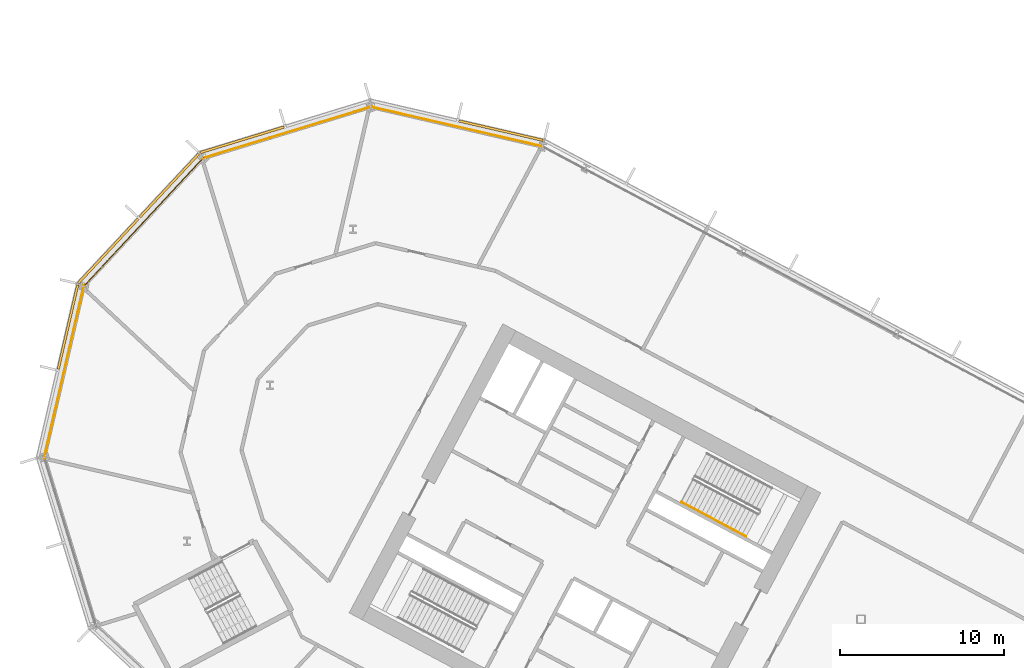
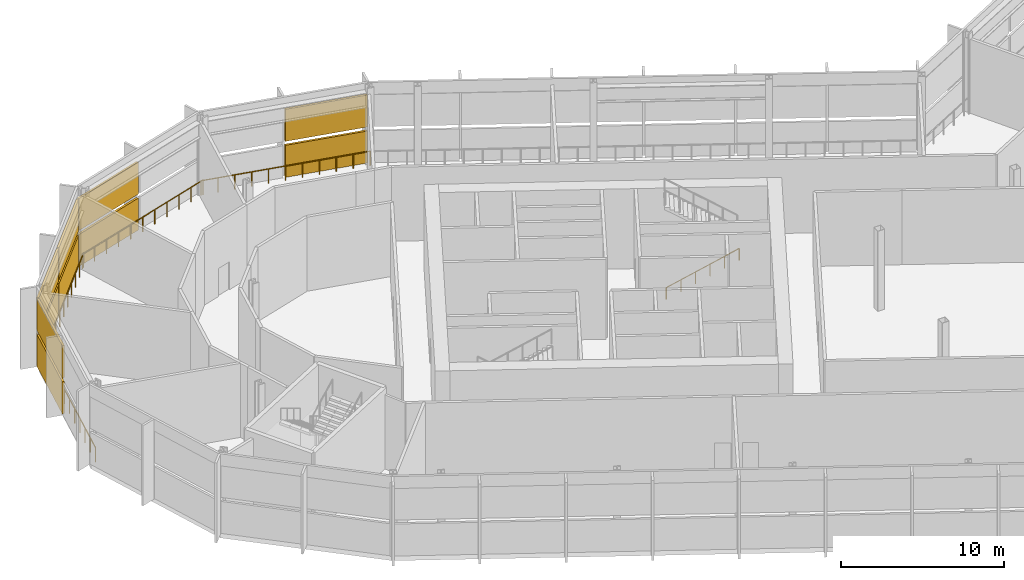
# One storey, part 24 of 33: 10 shading devices, 5 railings, 4 elements without a shape of their own.
"""IFC4 building model written with IfcOpenShell, lengths in metres."""

from ifc_helpers import new_model, si_unit, direction, frame, origin, origin_2d, place, context, subcontext, project, spatial, polyline, rectangle, outline, extrude, material, layer, layer_set, type_object, element, aggregate, save


model = new_model("IFC4")

# Units and contexts
model_context = context("Model", 3, precision=1e-05, world=origin(), true_north=direction((0.0, 1.0)))
body_context = subcontext(model_context, "Body", "Model", "MODEL_VIEW")
ifc_project = project(units=[si_unit("LENGTHUNIT", "METRE"), si_unit("AREAUNIT", "SQUARE_METRE"), si_unit("VOLUMEUNIT", "CUBIC_METRE"), si_unit("PLANEANGLEUNIT", "RADIAN"), si_unit("MASSUNIT", "GRAM", prefix="KILO")], contexts=[model_context])

# Site, building, storey
site_placement = place(None, origin())
site = spatial("IfcSite", under=ifc_project, at=site_placement, CompositionType="ELEMENT")
building_placement = place(site_placement, origin())
building = spatial("IfcBuilding", under=site, at=building_placement, Name="Cormorant Relay Tower", CompositionType="ELEMENT")
storey_placement = place(building_placement, frame((0.0, 0.0, 112.199951171875)))
storey = spatial("IfcBuildingStorey", under=building, at=storey_placement, Name="L22", CompositionType="ELEMENT", Elevation=112.199951171875)

# Railings
ifc_material_1 = material(Name="Stainless steel 316 guard", Category="steel")
railing_type_1 = type_object("IfcRailingType", Name="Band louvre guard 1100", PredefinedType="GUARDRAIL", material=ifc_material_1)
railing_1_placement = place(storey_placement, frame((-29.941162109375, 39.375732421875, 0.0)))
element("IfcRailing", 1, at=railing_1_placement, inside=storey, type_object=railing_type_1, Name="CW4 guard 8", PredefinedType="GUARDRAIL", context=body_context, shape_type="SweptSolid", body=[
    extrude(outline(polyline([(0.022216796875, 0.00927734375), (0.00927734375, 0.022216796875), (-0.00927734375, 0.022216796875), (-0.022216796875, 0.00927734375), (-0.022216796875, -0.00927734375), (-0.00927734375, -0.022216796875), (0.00927734375, -0.022216796875), (0.022216796875, -0.00927734375), (0.022216796875, 0.00927734375)])), frame((0.0, 0.0, 1.076171875), z_axis=(-0.974369993916, 0.22495136131, 0.0), x_axis=(-0.22495136131, -0.974369993916, 0.0)), (0.0, 0.0, 1.0), 10.870361328125),
    extrude(outline(polyline([(0.019287109375, 0.008056640625), (0.008056640625, 0.019287109375), (-0.008056640625, 0.019287109375), (-0.019287109375, 0.008056640625), (-0.019287109375, -0.008056640625), (-0.008056640625, -0.019287109375), (0.008056640625, -0.019287109375), (0.019287109375, -0.008056640625), (0.019287109375, 0.008056640625)])), origin(), (0.0, 0.0, 1.0), 1.052001953125),
    extrude(outline(polyline([(0.019287109375, 0.008056640625), (0.008056640625, 0.019287109375), (-0.008056640625, 0.019287109375), (-0.019287109375, 0.008056640625), (-0.019287109375, -0.008056640625), (-0.008056640625, -0.019287109375), (0.008056640625, -0.019287109375), (0.019287109375, -0.008056640625), (0.019287109375, 0.008056640625)])), frame((-1.05908203125, 0.24462890625, 0.0)), (0.0, 0.0, 1.0), 1.052001953125),
    extrude(outline(polyline([(0.019287109375, 0.008056640625), (0.008056640625, 0.019287109375), (-0.008056640625, 0.019287109375), (-0.019287109375, 0.008056640625), (-0.019287109375, -0.008056640625), (-0.008056640625, -0.019287109375), (0.008056640625, -0.019287109375), (0.019287109375, -0.008056640625), (0.019287109375, 0.008056640625)])), frame((-2.118408203125, 0.489013671875, 0.0)), (0.0, 0.0, 1.0), 1.052001953125),
    extrude(outline(polyline([(0.019287109375, 0.008056640625), (0.008056640625, 0.019287109375), (-0.008056640625, 0.019287109375), (-0.019287109375, 0.008056640625), (-0.019287109375, -0.008056640625), (-0.008056640625, -0.019287109375), (0.008056640625, -0.019287109375), (0.019287109375, -0.008056640625), (0.019287109375, 0.008056640625)])), frame((-3.177490234375, 0.733642578125, 0.0)), (0.0, 0.0, 1.0), 1.052001953125),
    extrude(outline(polyline([(0.019287109375, 0.008056640625), (0.008056640625, 0.019287109375), (-0.008056640625, 0.019287109375), (-0.019287109375, 0.008056640625), (-0.019287109375, -0.008056640625), (-0.008056640625, -0.019287109375), (0.008056640625, -0.019287109375), (0.019287109375, -0.008056640625), (0.019287109375, 0.008056640625)])), frame((-4.23681640625, 0.97802734375, 0.0)), (0.0, 0.0, 1.0), 1.052001953125),
    extrude(outline(polyline([(0.019287109375, 0.008056640625), (0.008056640625, 0.019287109375), (-0.008056640625, 0.019287109375), (-0.019287109375, 0.008056640625), (-0.019287109375, -0.008056640625), (-0.008056640625, -0.019287109375), (0.008056640625, -0.019287109375), (0.019287109375, -0.008056640625), (0.019287109375, 0.008056640625)])), frame((-5.2958984375, 1.22265625, 0.0)), (0.0, 0.0, 1.0), 1.052001953125),
    extrude(outline(polyline([(0.019287109375, 0.008056640625), (0.008056640625, 0.019287109375), (-0.008056640625, 0.019287109375), (-0.019287109375, 0.008056640625), (-0.019287109375, -0.008056640625), (-0.008056640625, -0.019287109375), (0.008056640625, -0.019287109375), (0.019287109375, -0.008056640625), (0.019287109375, 0.008056640625)])), frame((-6.35498046875, 1.46728515625, 0.0)), (0.0, 0.0, 1.0), 1.052001953125),
    extrude(outline(polyline([(0.019287109375, 0.008056640625), (0.008056640625, 0.019287109375), (-0.008056640625, 0.019287109375), (-0.019287109375, 0.008056640625), (-0.019287109375, -0.008056640625), (-0.008056640625, -0.019287109375), (0.008056640625, -0.019287109375), (0.019287109375, -0.008056640625), (0.019287109375, 0.008056640625)])), frame((-7.414306640625, 1.711669921875, 0.0)), (0.0, 0.0, 1.0), 1.052001953125),
    extrude(outline(polyline([(0.019287109375, 0.008056640625), (0.008056640625, 0.019287109375), (-0.008056640625, 0.019287109375), (-0.019287109375, 0.008056640625), (-0.019287109375, -0.008056640625), (-0.008056640625, -0.019287109375), (0.008056640625, -0.019287109375), (0.019287109375, -0.008056640625), (0.019287109375, 0.008056640625)])), frame((-8.473388671875, 1.956298828125, 0.0)), (0.0, 0.0, 1.0), 1.052001953125),
    extrude(outline(polyline([(0.019287109375, 0.008056640625), (0.008056640625, 0.019287109375), (-0.008056640625, 0.019287109375), (-0.019287109375, 0.008056640625), (-0.019287109375, -0.008056640625), (-0.008056640625, -0.019287109375), (0.008056640625, -0.019287109375), (0.019287109375, -0.008056640625), (0.019287109375, 0.008056640625)])), frame((-9.53271484375, 2.20068359375, 0.0)), (0.0, 0.0, 1.0), 1.052001953125),
    extrude(outline(polyline([(0.019287109375, 0.008056640625), (0.008056640625, 0.019287109375), (-0.008056640625, 0.019287109375), (-0.019287109375, 0.008056640625), (-0.019287109375, -0.008056640625), (-0.008056640625, -0.019287109375), (0.008056640625, -0.019287109375), (0.019287109375, -0.008056640625), (0.019287109375, 0.008056640625)])), frame((-10.591796875, 2.4453125, 0.0)), (0.0, 0.0, 1.0), 1.052001953125),
])
railing_2_placement = place(storey_placement, frame((-40.377685546875, 41.826416015625, 0.0)))
element("IfcRailing", 2, at=railing_2_placement, inside=storey, type_object=railing_type_1, Name="CW4 guard 9", PredefinedType="GUARDRAIL", context=body_context, shape_type="SweptSolid", body=[
    extrude(outline(polyline([(0.022216796875, 0.00927734375), (0.00927734375, 0.022216796875), (-0.00927734375, 0.022216796875), (-0.022216796875, 0.00927734375), (-0.022216796875, -0.00927734375), (-0.00927734375, -0.022216796875), (0.00927734375, -0.022216796875), (0.022216796875, -0.00927734375), (0.022216796875, 0.00927734375)])), frame((0.0, 0.0, 1.076171875), z_axis=(-0.956304833932, -0.292371449698, 0.0), x_axis=(0.292371449698, -0.956304833932, 0.0)), (0.0, 0.0, 1.0), 10.87060546875),
    extrude(outline(polyline([(0.019287109375, 0.008056640625), (0.008056640625, 0.019287109375), (-0.008056640625, 0.019287109375), (-0.019287109375, 0.008056640625), (-0.019287109375, -0.008056640625), (-0.008056640625, -0.019287109375), (0.008056640625, -0.019287109375), (0.019287109375, -0.008056640625), (0.019287109375, 0.008056640625)])), origin(), (0.0, 0.0, 1.0), 1.052001953125),
    extrude(outline(polyline([(0.019287109375, 0.008056640625), (0.008056640625, 0.019287109375), (-0.008056640625, 0.019287109375), (-0.019287109375, 0.008056640625), (-0.019287109375, -0.008056640625), (-0.008056640625, -0.019287109375), (0.008056640625, -0.019287109375), (0.019287109375, -0.008056640625), (0.019287109375, 0.008056640625)])), frame((-1.03955078125, -0.31787109375, 0.0)), (0.0, 0.0, 1.0), 1.052001953125),
    extrude(outline(polyline([(0.019287109375, 0.008056640625), (0.008056640625, 0.019287109375), (-0.008056640625, 0.019287109375), (-0.019287109375, 0.008056640625), (-0.019287109375, -0.008056640625), (-0.008056640625, -0.019287109375), (0.008056640625, -0.019287109375), (0.019287109375, -0.008056640625), (0.019287109375, 0.008056640625)])), frame((-2.0791015625, -0.6357421875, 0.0)), (0.0, 0.0, 1.0), 1.052001953125),
    extrude(outline(polyline([(0.019287109375, 0.008056640625), (0.008056640625, 0.019287109375), (-0.008056640625, 0.019287109375), (-0.019287109375, 0.008056640625), (-0.019287109375, -0.008056640625), (-0.008056640625, -0.019287109375), (0.008056640625, -0.019287109375), (0.019287109375, -0.008056640625), (0.019287109375, 0.008056640625)])), frame((-3.11865234375, -0.953369140625, 0.0)), (0.0, 0.0, 1.0), 1.052001953125),
    extrude(outline(polyline([(0.019287109375, 0.008056640625), (0.008056640625, 0.019287109375), (-0.008056640625, 0.019287109375), (-0.019287109375, 0.008056640625), (-0.019287109375, -0.008056640625), (-0.008056640625, -0.019287109375), (0.008056640625, -0.019287109375), (0.019287109375, -0.008056640625), (0.019287109375, 0.008056640625)])), frame((-4.158203125, -1.271240234375, 0.0)), (0.0, 0.0, 1.0), 1.052001953125),
    extrude(outline(polyline([(0.019287109375, 0.008056640625), (0.008056640625, 0.019287109375), (-0.008056640625, 0.019287109375), (-0.019287109375, 0.008056640625), (-0.019287109375, -0.008056640625), (-0.008056640625, -0.019287109375), (0.008056640625, -0.019287109375), (0.019287109375, -0.008056640625), (0.019287109375, 0.008056640625)])), frame((-5.19775390625, -1.589111328125, 0.0)), (0.0, 0.0, 1.0), 1.052001953125),
    extrude(outline(polyline([(0.019287109375, 0.008056640625), (0.008056640625, 0.019287109375), (-0.008056640625, 0.019287109375), (-0.019287109375, 0.008056640625), (-0.019287109375, -0.008056640625), (-0.008056640625, -0.019287109375), (0.008056640625, -0.019287109375), (0.019287109375, -0.008056640625), (0.019287109375, 0.008056640625)])), frame((-6.2373046875, -1.906982421875, 0.0)), (0.0, 0.0, 1.0), 1.052001953125),
    extrude(outline(polyline([(0.019287109375, 0.008056640625), (0.008056640625, 0.019287109375), (-0.008056640625, 0.019287109375), (-0.019287109375, 0.008056640625), (-0.019287109375, -0.008056640625), (-0.008056640625, -0.019287109375), (0.008056640625, -0.019287109375), (0.019287109375, -0.008056640625), (0.019287109375, 0.008056640625)])), frame((-7.27685546875, -2.224853515625, 0.0)), (0.0, 0.0, 1.0), 1.052001953125),
    extrude(outline(polyline([(0.019287109375, 0.008056640625), (0.008056640625, 0.019287109375), (-0.008056640625, 0.019287109375), (-0.019287109375, 0.008056640625), (-0.019287109375, -0.008056640625), (-0.008056640625, -0.019287109375), (0.008056640625, -0.019287109375), (0.019287109375, -0.008056640625), (0.019287109375, 0.008056640625)])), frame((-8.31640625, -2.54248046875, 0.0)), (0.0, 0.0, 1.0), 1.052001953125),
    extrude(outline(polyline([(0.019287109375, 0.008056640625), (0.008056640625, 0.019287109375), (-0.008056640625, 0.019287109375), (-0.019287109375, 0.008056640625), (-0.019287109375, -0.008056640625), (-0.008056640625, -0.019287109375), (0.008056640625, -0.019287109375), (0.019287109375, -0.008056640625), (0.019287109375, 0.008056640625)])), frame((-9.35595703125, -2.8603515625, 0.0)), (0.0, 0.0, 1.0), 1.052001953125),
    extrude(outline(polyline([(0.019287109375, 0.008056640625), (0.008056640625, 0.019287109375), (-0.008056640625, 0.019287109375), (-0.019287109375, 0.008056640625), (-0.019287109375, -0.008056640625), (-0.008056640625, -0.019287109375), (0.008056640625, -0.019287109375), (0.019287109375, -0.008056640625), (0.019287109375, 0.008056640625)])), frame((-10.3955078125, -3.17822265625, 0.0)), (0.0, 0.0, 1.0), 1.052001953125),
])
railing_3_placement = place(storey_placement, frame((-50.6416015625, 38.730712890625, 0.0)))
element("IfcRailing", 3, at=railing_3_placement, inside=storey, type_object=railing_type_1, Name="CW4 guard 10", PredefinedType="GUARDRAIL", context=body_context, shape_type="SweptSolid", body=[
    extrude(outline(polyline([(0.022216796875, 0.00927734375), (0.00927734375, 0.022216796875), (-0.00927734375, 0.022216796875), (-0.022216796875, 0.00927734375), (-0.022216796875, -0.00927734375), (-0.00927734375, -0.022216796875), (0.00927734375, -0.022216796875), (0.022216796875, -0.00927734375), (0.022216796875, 0.00927734375)])), frame((0.0, 0.0, 1.076171875), z_axis=(-0.681993299437, -0.731358420696, 0.0), x_axis=(0.731358420696, -0.681993299437, 0.0)), (0.0, 0.0, 1.0), 10.870361328125),
    extrude(outline(polyline([(0.019287109375, 0.008056640625), (0.008056640625, 0.019287109375), (-0.008056640625, 0.019287109375), (-0.019287109375, 0.008056640625), (-0.019287109375, -0.008056640625), (-0.008056640625, -0.019287109375), (0.008056640625, -0.019287109375), (0.019287109375, -0.008056640625), (0.019287109375, 0.008056640625)])), origin(), (0.0, 0.0, 1.0), 1.052001953125),
    extrude(outline(polyline([(0.019287109375, 0.008056640625), (0.008056640625, 0.019287109375), (-0.008056640625, 0.019287109375), (-0.019287109375, 0.008056640625), (-0.019287109375, -0.008056640625), (-0.008056640625, -0.019287109375), (0.008056640625, -0.019287109375), (0.019287109375, -0.008056640625), (0.019287109375, 0.008056640625)])), frame((-0.741455078125, -0.794921875, 0.0)), (0.0, 0.0, 1.0), 1.052001953125),
    extrude(outline(polyline([(0.019287109375, 0.008056640625), (0.008056640625, 0.019287109375), (-0.008056640625, 0.019287109375), (-0.019287109375, 0.008056640625), (-0.019287109375, -0.008056640625), (-0.008056640625, -0.019287109375), (0.008056640625, -0.019287109375), (0.019287109375, -0.008056640625), (0.019287109375, 0.008056640625)])), frame((-1.482666015625, -1.590087890625, 0.0)), (0.0, 0.0, 1.0), 1.052001953125),
    extrude(outline(polyline([(0.019287109375, 0.008056640625), (0.008056640625, 0.019287109375), (-0.008056640625, 0.019287109375), (-0.019287109375, 0.008056640625), (-0.019287109375, -0.008056640625), (-0.008056640625, -0.019287109375), (0.008056640625, -0.019287109375), (0.019287109375, -0.008056640625), (0.019287109375, 0.008056640625)])), frame((-2.22412109375, -2.385009765625, 0.0)), (0.0, 0.0, 1.0), 1.052001953125),
    extrude(outline(polyline([(0.019287109375, 0.008056640625), (0.008056640625, 0.019287109375), (-0.008056640625, 0.019287109375), (-0.019287109375, 0.008056640625), (-0.019287109375, -0.008056640625), (-0.008056640625, -0.019287109375), (0.008056640625, -0.019287109375), (0.019287109375, -0.008056640625), (0.019287109375, 0.008056640625)])), frame((-2.96533203125, -3.18017578125, 0.0)), (0.0, 0.0, 1.0), 1.052001953125),
    extrude(outline(polyline([(0.019287109375, 0.008056640625), (0.008056640625, 0.019287109375), (-0.008056640625, 0.019287109375), (-0.019287109375, 0.008056640625), (-0.019287109375, -0.008056640625), (-0.008056640625, -0.019287109375), (0.008056640625, -0.019287109375), (0.019287109375, -0.008056640625), (0.019287109375, 0.008056640625)])), frame((-3.706787109375, -3.97509765625, 0.0)), (0.0, 0.0, 1.0), 1.052001953125),
    extrude(outline(polyline([(0.019287109375, 0.008056640625), (0.008056640625, 0.019287109375), (-0.008056640625, 0.019287109375), (-0.019287109375, 0.008056640625), (-0.019287109375, -0.008056640625), (-0.008056640625, -0.019287109375), (0.008056640625, -0.019287109375), (0.019287109375, -0.008056640625), (0.019287109375, 0.008056640625)])), frame((-4.4482421875, -4.77001953125, 0.0)), (0.0, 0.0, 1.0), 1.052001953125),
    extrude(outline(polyline([(0.019287109375, 0.008056640625), (0.008056640625, 0.019287109375), (-0.008056640625, 0.019287109375), (-0.019287109375, 0.008056640625), (-0.019287109375, -0.008056640625), (-0.008056640625, -0.019287109375), (0.008056640625, -0.019287109375), (0.019287109375, -0.008056640625), (0.019287109375, 0.008056640625)])), frame((-5.189453125, -5.565185546875, 0.0)), (0.0, 0.0, 1.0), 1.052001953125),
    extrude(outline(polyline([(0.019287109375, 0.008056640625), (0.008056640625, 0.019287109375), (-0.008056640625, 0.019287109375), (-0.019287109375, 0.008056640625), (-0.019287109375, -0.008056640625), (-0.008056640625, -0.019287109375), (0.008056640625, -0.019287109375), (0.019287109375, -0.008056640625), (0.019287109375, 0.008056640625)])), frame((-5.930908203125, -6.360107421875, 0.0)), (0.0, 0.0, 1.0), 1.052001953125),
    extrude(outline(polyline([(0.019287109375, 0.008056640625), (0.008056640625, 0.019287109375), (-0.008056640625, 0.019287109375), (-0.019287109375, 0.008056640625), (-0.019287109375, -0.008056640625), (-0.008056640625, -0.019287109375), (0.008056640625, -0.019287109375), (0.019287109375, -0.008056640625), (0.019287109375, 0.008056640625)])), frame((-6.672119140625, -7.1552734375, 0.0)), (0.0, 0.0, 1.0), 1.052001953125),
    extrude(outline(polyline([(0.019287109375, 0.008056640625), (0.008056640625, 0.019287109375), (-0.008056640625, 0.019287109375), (-0.019287109375, 0.008056640625), (-0.019287109375, -0.008056640625), (-0.008056640625, -0.019287109375), (0.008056640625, -0.019287109375), (0.019287109375, -0.008056640625), (0.019287109375, 0.008056640625)])), frame((-7.41357421875, -7.9501953125, 0.0)), (0.0, 0.0, 1.0), 1.052001953125),
])
railing_4_placement = place(storey_placement, frame((-57.982177734375, 30.91748046875, 0.0)))
element("IfcRailing", 4, at=railing_4_placement, inside=storey, type_object=railing_type_1, Name="CW4 guard 11", PredefinedType="GUARDRAIL", context=body_context, shape_type="SweptSolid", body=[
    extrude(outline(polyline([(0.022216796875, 0.00927734375), (0.00927734375, 0.022216796875), (-0.00927734375, 0.022216796875), (-0.022216796875, 0.00927734375), (-0.022216796875, -0.00927734375), (-0.00927734375, -0.022216796875), (0.00927734375, -0.022216796875), (0.022216796875, -0.00927734375), (0.022216796875, 0.00927734375)])), frame((0.0, 0.0, 1.076171875), z_axis=(-0.22495136131, -0.974369993916, 0.0), x_axis=(0.974369993916, -0.22495136131, 0.0)), (0.0, 0.0, 1.0), 10.870361328125),
    extrude(outline(polyline([(0.019287109375, 0.008056640625), (0.008056640625, 0.019287109375), (-0.008056640625, 0.019287109375), (-0.019287109375, 0.008056640625), (-0.019287109375, -0.008056640625), (-0.008056640625, -0.019287109375), (0.008056640625, -0.019287109375), (0.019287109375, -0.008056640625), (0.019287109375, 0.008056640625)])), origin(), (0.0, 0.0, 1.0), 1.052001953125),
    extrude(outline(polyline([(0.019287109375, 0.008056640625), (0.008056640625, 0.019287109375), (-0.008056640625, 0.019287109375), (-0.019287109375, 0.008056640625), (-0.019287109375, -0.008056640625), (-0.008056640625, -0.019287109375), (0.008056640625, -0.019287109375), (0.019287109375, -0.008056640625), (0.019287109375, 0.008056640625)])), frame((-0.24462890625, -1.05908203125, 0.0)), (0.0, 0.0, 1.0), 1.052001953125),
    extrude(outline(polyline([(0.019287109375, 0.008056640625), (0.008056640625, 0.019287109375), (-0.008056640625, 0.019287109375), (-0.019287109375, 0.008056640625), (-0.019287109375, -0.008056640625), (-0.008056640625, -0.019287109375), (0.008056640625, -0.019287109375), (0.019287109375, -0.008056640625), (0.019287109375, 0.008056640625)])), frame((-0.489013671875, -2.118408203125, 0.0)), (0.0, 0.0, 1.0), 1.052001953125),
    extrude(outline(polyline([(0.019287109375, 0.008056640625), (0.008056640625, 0.019287109375), (-0.008056640625, 0.019287109375), (-0.019287109375, 0.008056640625), (-0.019287109375, -0.008056640625), (-0.008056640625, -0.019287109375), (0.008056640625, -0.019287109375), (0.019287109375, -0.008056640625), (0.019287109375, 0.008056640625)])), frame((-0.733642578125, -3.177490234375, 0.0)), (0.0, 0.0, 1.0), 1.052001953125),
    extrude(outline(polyline([(0.019287109375, 0.008056640625), (0.008056640625, 0.019287109375), (-0.008056640625, 0.019287109375), (-0.019287109375, 0.008056640625), (-0.019287109375, -0.008056640625), (-0.008056640625, -0.019287109375), (0.008056640625, -0.019287109375), (0.019287109375, -0.008056640625), (0.019287109375, 0.008056640625)])), frame((-0.97802734375, -4.23681640625, 0.0)), (0.0, 0.0, 1.0), 1.052001953125),
    extrude(outline(polyline([(0.019287109375, 0.008056640625), (0.008056640625, 0.019287109375), (-0.008056640625, 0.019287109375), (-0.019287109375, 0.008056640625), (-0.019287109375, -0.008056640625), (-0.008056640625, -0.019287109375), (0.008056640625, -0.019287109375), (0.019287109375, -0.008056640625), (0.019287109375, 0.008056640625)])), frame((-1.22265625, -5.2958984375, 0.0)), (0.0, 0.0, 1.0), 1.052001953125),
    extrude(outline(polyline([(0.019287109375, 0.008056640625), (0.008056640625, 0.019287109375), (-0.008056640625, 0.019287109375), (-0.019287109375, 0.008056640625), (-0.019287109375, -0.008056640625), (-0.008056640625, -0.019287109375), (0.008056640625, -0.019287109375), (0.019287109375, -0.008056640625), (0.019287109375, 0.008056640625)])), frame((-1.46728515625, -6.35498046875, 0.0)), (0.0, 0.0, 1.0), 1.052001953125),
    extrude(outline(polyline([(0.019287109375, 0.008056640625), (0.008056640625, 0.019287109375), (-0.008056640625, 0.019287109375), (-0.019287109375, 0.008056640625), (-0.019287109375, -0.008056640625), (-0.008056640625, -0.019287109375), (0.008056640625, -0.019287109375), (0.019287109375, -0.008056640625), (0.019287109375, 0.008056640625)])), frame((-1.711669921875, -7.414306640625, 0.0)), (0.0, 0.0, 1.0), 1.052001953125),
    extrude(outline(polyline([(0.019287109375, 0.008056640625), (0.008056640625, 0.019287109375), (-0.008056640625, 0.019287109375), (-0.019287109375, 0.008056640625), (-0.019287109375, -0.008056640625), (-0.008056640625, -0.019287109375), (0.008056640625, -0.019287109375), (0.019287109375, -0.008056640625), (0.019287109375, 0.008056640625)])), frame((-1.956298828125, -8.473388671875, 0.0)), (0.0, 0.0, 1.0), 1.052001953125),
    extrude(outline(polyline([(0.019287109375, 0.008056640625), (0.008056640625, 0.019287109375), (-0.008056640625, 0.019287109375), (-0.019287109375, 0.008056640625), (-0.019287109375, -0.008056640625), (-0.008056640625, -0.019287109375), (0.008056640625, -0.019287109375), (0.019287109375, -0.008056640625), (0.019287109375, 0.008056640625)])), frame((-2.20068359375, -9.53271484375, 0.0)), (0.0, 0.0, 1.0), 1.052001953125),
    extrude(outline(polyline([(0.019287109375, 0.008056640625), (0.008056640625, 0.019287109375), (-0.008056640625, 0.019287109375), (-0.019287109375, 0.008056640625), (-0.019287109375, -0.008056640625), (-0.008056640625, -0.019287109375), (0.008056640625, -0.019287109375), (0.019287109375, -0.008056640625), (0.019287109375, 0.008056640625)])), frame((-2.4453125, -10.591796875, 0.0)), (0.0, 0.0, 1.0), 1.052001953125),
])

# Curtain wall, shading devices
ifc_material_2 = material(Name="Aluminium 6063-T6 anodised bronze", Category="aluminium")
ifc_layer = layer(ifc_material_2, 0.199951171875)
ifc_layer_set = layer_set([ifc_layer], Name="CW4 band louvre wall")
curtain_wall_type = type_object("IfcCurtainWallType", Name="CW4 band louvre wall", PredefinedType="NOTDEFINED", material=ifc_layer_set)
curtain_wall_1_placement = place(storey_placement, origin())
curtain_wall_1 = element("IfcCurtainWall", 5, at=curtain_wall_1_placement, inside=storey, type_object=curtain_wall_type, Name="CW4 curtain wall 8", PredefinedType="NOTDEFINED")
ifc_material_3 = material(Name="Aluminium 6063-T6 anodised bronze louvre", Category="aluminium")
shading_device_type = type_object("IfcShadingDeviceType", Name="CW4 bronze louvre bank 150 x 2400", PredefinedType="USERDEFINED", material=ifc_material_3)
shading_device_1_placement = place(storey_placement, frame((-32.5048828125, 40.3525390625, 2.7001953125), z_axis=(0.0, 0.0, 1.0), x_axis=(-0.974370064785, 0.224951054344, 0.0)))
shading_device_1 = element("IfcShadingDevice", 6, at=shading_device_1_placement, type_object=shading_device_type, Name="CW4 louvre bank U8.1", ObjectType="LOUVRE", PredefinedType="USERDEFINED", context=body_context, shape_type="SweptSolid", body=[
    extrude(rectangle(XDim=5.28515625, YDim=0.14990234375, at=origin_2d()), origin(), (0.0, 0.0, 1.0), 2.39990234375),
])
shading_device_2_placement = place(storey_placement, frame((-32.5048828125, 40.3525390625, 0.0), z_axis=(0.0, 0.0, 1.0), x_axis=(-0.974370064785, 0.224951054344, 0.0)))
shading_device_2 = element("IfcShadingDevice", 7, at=shading_device_2_placement, type_object=shading_device_type, Name="CW4 louvre bank D8.1", ObjectType="LOUVRE", PredefinedType="USERDEFINED", context=body_context, shape_type="SweptSolid", body=[
    extrude(rectangle(XDim=5.28515625, YDim=0.14990234375, at=origin_2d()), origin(), (0.0, 0.0, 1.0), 2.39990234375),
])
aggregate(curtain_wall_1, [shading_device_1, shading_device_2])

curtain_wall_2_placement = place(storey_placement, origin())
curtain_wall_2 = element("IfcCurtainWall", 8, at=curtain_wall_2_placement, inside=storey, type_object=curtain_wall_type, Name="CW4 curtain wall 9", PredefinedType="NOTDEFINED")
shading_device_3_placement = place(storey_placement, frame((-48.31982421875, 39.79052734375, 2.7001953125), z_axis=(0.0, 0.0, 1.0), x_axis=(-0.956304755963, -0.292371704723, 0.0)))
shading_device_3 = element("IfcShadingDevice", 9, at=shading_device_3_placement, type_object=shading_device_type, Name="CW4 louvre bank U9.2", ObjectType="LOUVRE", PredefinedType="USERDEFINED", context=body_context, shape_type="SweptSolid", body=[
    extrude(rectangle(XDim=5.360107421875, YDim=0.14990234375, at=origin_2d()), origin(), (0.0, 0.0, 1.0), 2.39990234375),
])
shading_device_4_placement = place(storey_placement, frame((-48.31982421875, 39.79052734375, 0.0), z_axis=(0.0, 0.0, 1.0), x_axis=(-0.956304755963, -0.292371704723, 0.0)))
shading_device_4 = element("IfcShadingDevice", 10, at=shading_device_4_placement, type_object=shading_device_type, Name="CW4 louvre bank D9.2", ObjectType="LOUVRE", PredefinedType="USERDEFINED", context=body_context, shape_type="SweptSolid", body=[
    extrude(rectangle(XDim=5.360107421875, YDim=0.14990234375, at=origin_2d()), origin(), (0.0, 0.0, 1.0), 2.39990234375),
])
aggregate(curtain_wall_2, [shading_device_3, shading_device_4])

curtain_wall_3_placement = place(storey_placement, origin())
curtain_wall_3 = element("IfcCurtainWall", 11, at=curtain_wall_3_placement, inside=storey, type_object=curtain_wall_type, Name="CW4 curtain wall 10", PredefinedType="NOTDEFINED")
shading_device_5_placement = place(storey_placement, frame((-52.769287109375, 36.998779296875, 2.7001953125), z_axis=(0.0, 0.0, 1.0), x_axis=(-0.681998360062, -0.731353701619, 0.0)))
shading_device_5 = element("IfcShadingDevice", 12, at=shading_device_5_placement, type_object=shading_device_type, Name="CW4 louvre bank U10.1", ObjectType="LOUVRE", PredefinedType="USERDEFINED", context=body_context, shape_type="SweptSolid", body=[
    extrude(rectangle(XDim=5.28515625, YDim=0.14990234375, at=origin_2d()), origin(), (0.0, 0.0, 1.0), 2.39990234375),
])
shading_device_6_placement = place(storey_placement, frame((-52.769287109375, 36.998779296875, 0.0), z_axis=(0.0, 0.0, 1.0), x_axis=(-0.681998360062, -0.731353701619, 0.0)))
shading_device_6 = element("IfcShadingDevice", 13, at=shading_device_6_placement, type_object=shading_device_type, Name="CW4 louvre bank D10.1", ObjectType="LOUVRE", PredefinedType="USERDEFINED", context=body_context, shape_type="SweptSolid", body=[
    extrude(rectangle(XDim=5.28515625, YDim=0.14990234375, at=origin_2d()), origin(), (0.0, 0.0, 1.0), 2.39990234375),
])
shading_device_7_placement = place(storey_placement, frame((-56.501708984375, 32.996337890625, 2.7001953125), z_axis=(0.0, 0.0, 1.0), x_axis=(-0.681998360062, -0.731353701619, 0.0)))
shading_device_7 = element("IfcShadingDevice", 14, at=shading_device_7_placement, type_object=shading_device_type, Name="CW4 louvre bank U10.2", ObjectType="LOUVRE", PredefinedType="USERDEFINED", context=body_context, shape_type="SweptSolid", body=[
    extrude(rectangle(XDim=5.360107421875, YDim=0.14990234375, at=origin_2d()), origin(), (0.0, 0.0, 1.0), 2.39990234375),
])
shading_device_8_placement = place(storey_placement, frame((-56.501708984375, 32.996337890625, 0.0), z_axis=(0.0, 0.0, 1.0), x_axis=(-0.681998360062, -0.731353701619, 0.0)))
shading_device_8 = element("IfcShadingDevice", 15, at=shading_device_8_placement, type_object=shading_device_type, Name="CW4 louvre bank D10.2", ObjectType="LOUVRE", PredefinedType="USERDEFINED", context=body_context, shape_type="SweptSolid", body=[
    extrude(rectangle(XDim=5.360107421875, YDim=0.14990234375, at=origin_2d()), origin(), (0.0, 0.0, 1.0), 2.39990234375),
])
aggregate(curtain_wall_3, [shading_device_5, shading_device_6, shading_device_7, shading_device_8])

curtain_wall_4_placement = place(storey_placement, origin())
curtain_wall_4 = element("IfcCurtainWall", 16, at=curtain_wall_4_placement, inside=storey, type_object=curtain_wall_type, Name="CW4 curtain wall 11", PredefinedType="NOTDEFINED")
shading_device_9_placement = place(storey_placement, frame((-58.958984375, 28.35400390625, 2.7001953125), z_axis=(0.0, 0.0, 1.0), x_axis=(-0.224951054344, -0.974370064785, 0.0)))
shading_device_9 = element("IfcShadingDevice", 17, at=shading_device_9_placement, type_object=shading_device_type, Name="CW4 louvre bank U11.1", ObjectType="LOUVRE", PredefinedType="USERDEFINED", context=body_context, shape_type="SweptSolid", body=[
    extrude(rectangle(XDim=5.28515625, YDim=0.14990234375, at=origin_2d()), origin(), (0.0, 0.0, 1.0), 2.39990234375),
])
shading_device_10_placement = place(storey_placement, frame((-58.958984375, 28.35400390625, 0.0), z_axis=(0.0, 0.0, 1.0), x_axis=(-0.224951054344, -0.974370064785, 0.0)))
shading_device_10 = element("IfcShadingDevice", 18, at=shading_device_10_placement, type_object=shading_device_type, Name="CW4 louvre bank D11.1", ObjectType="LOUVRE", PredefinedType="USERDEFINED", context=body_context, shape_type="SweptSolid", body=[
    extrude(rectangle(XDim=5.28515625, YDim=0.14990234375, at=origin_2d()), origin(), (0.0, 0.0, 1.0), 2.39990234375),
])
aggregate(curtain_wall_4, [shading_device_9, shading_device_10])

# Railing
ifc_material_4 = material(Name="Steel ASTM A572 Grade 50 (Fy 345 MPa)", Category="steel")
railing_type_2 = type_object("IfcRailingType", Name="Stair handrail 900", PredefinedType="HANDRAIL", material=ifc_material_4)
railing_5_placement = place(storey_placement, frame((-21.478271484375, 17.6494140625, 0.176513671875)))
element("IfcRailing", 19, at=railing_5_placement, inside=storey, type_object=railing_type_2, Name="L22 A1 stair handrail 1", PredefinedType="HANDRAIL", context=body_context, shape_type="SweptSolid", body=[
    extrude(outline(polyline([(0.022216796875, 0.00927734375), (0.00927734375, 0.022216796875), (-0.00927734375, 0.022216796875), (-0.022216796875, 0.00927734375), (-0.022216796875, -0.00927734375), (-0.00927734375, -0.022216796875), (0.00927734375, -0.022216796875), (0.022216796875, -0.00927734375), (0.022216796875, 0.00927734375)])), frame((0.0, 0.0, 0.8759765625), z_axis=(0.746967351038, -0.397180825157, 0.533185866853), x_axis=(0.469481920044, 0.882942085729, 0.0)), (0.0, 0.0, 1.0), 5.29541015625),
    extrude(outline(polyline([(0.019287109375, 0.008056640625), (0.008056640625, 0.019287109375), (-0.008056640625, 0.019287109375), (-0.019287109375, 0.008056640625), (-0.019287109375, -0.008056640625), (-0.008056640625, -0.019287109375), (0.008056640625, -0.019287109375), (0.019287109375, -0.008056640625), (0.019287109375, 0.008056640625)])), origin(), (0.0, 0.0, 1.0), 0.851806640625),
    extrude(outline(polyline([(0.019287109375, 0.008056640625), (0.008056640625, 0.019287109375), (-0.008056640625, 0.019287109375), (-0.019287109375, 0.008056640625), (-0.019287109375, -0.008056640625), (-0.008056640625, -0.019287109375), (0.008056640625, -0.019287109375), (0.019287109375, -0.008056640625), (0.019287109375, 0.008056640625)])), frame((0.791015625, -0.420654296875, 0.564697265625)), (0.0, 0.0, 1.0), 0.851806640625),
    extrude(outline(polyline([(0.019287109375, 0.008056640625), (0.008056640625, 0.019287109375), (-0.008056640625, 0.019287109375), (-0.019287109375, 0.008056640625), (-0.019287109375, -0.008056640625), (-0.008056640625, -0.019287109375), (0.008056640625, -0.019287109375), (0.019287109375, -0.008056640625), (0.019287109375, 0.008056640625)])), frame((1.582275390625, -0.84130859375, 1.12939453125)), (0.0, 0.0, 1.0), 0.851806640625),
    extrude(outline(polyline([(0.019287109375, 0.008056640625), (0.008056640625, 0.019287109375), (-0.008056640625, 0.019287109375), (-0.019287109375, 0.008056640625), (-0.019287109375, -0.008056640625), (-0.008056640625, -0.019287109375), (0.008056640625, -0.019287109375), (0.019287109375, -0.008056640625), (0.019287109375, 0.008056640625)])), frame((2.373291015625, -1.261962890625, 1.694091796875)), (0.0, 0.0, 1.0), 0.851806640625),
    extrude(outline(polyline([(0.019287109375, 0.008056640625), (0.008056640625, 0.019287109375), (-0.008056640625, 0.019287109375), (-0.019287109375, 0.008056640625), (-0.019287109375, -0.008056640625), (-0.008056640625, -0.019287109375), (0.008056640625, -0.019287109375), (0.019287109375, -0.008056640625), (0.019287109375, 0.008056640625)])), frame((3.16455078125, -1.6826171875, 2.2587890625)), (0.0, 0.0, 1.0), 0.851806640625),
    extrude(outline(polyline([(0.019287109375, 0.008056640625), (0.008056640625, 0.019287109375), (-0.008056640625, 0.019287109375), (-0.019287109375, 0.008056640625), (-0.019287109375, -0.008056640625), (-0.008056640625, -0.019287109375), (0.008056640625, -0.019287109375), (0.019287109375, -0.008056640625), (0.019287109375, 0.008056640625)])), frame((3.95556640625, -2.103271484375, 2.823486328125)), (0.0, 0.0, 1.0), 0.851806640625),
])

save(model, "model.ifc")
